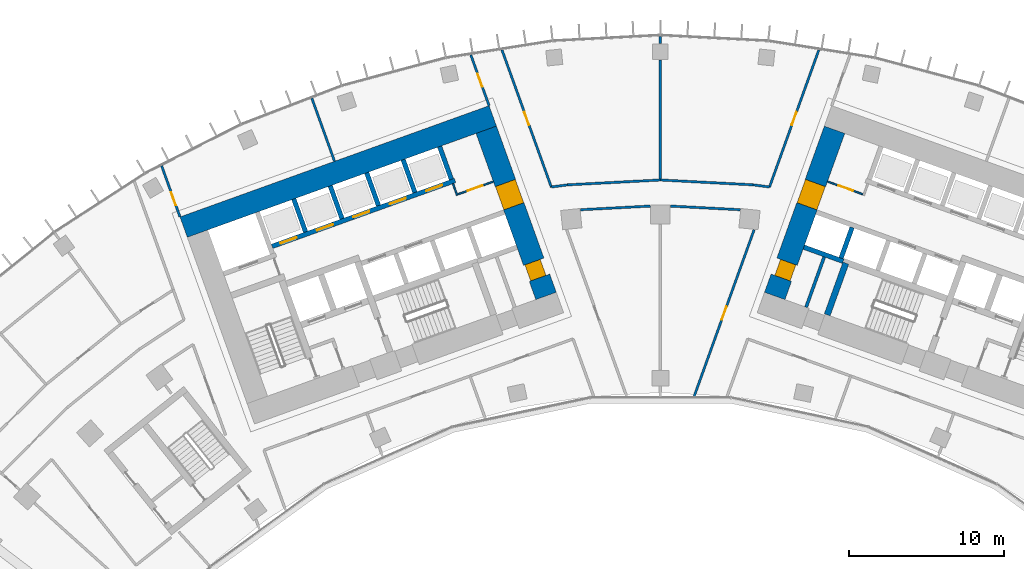
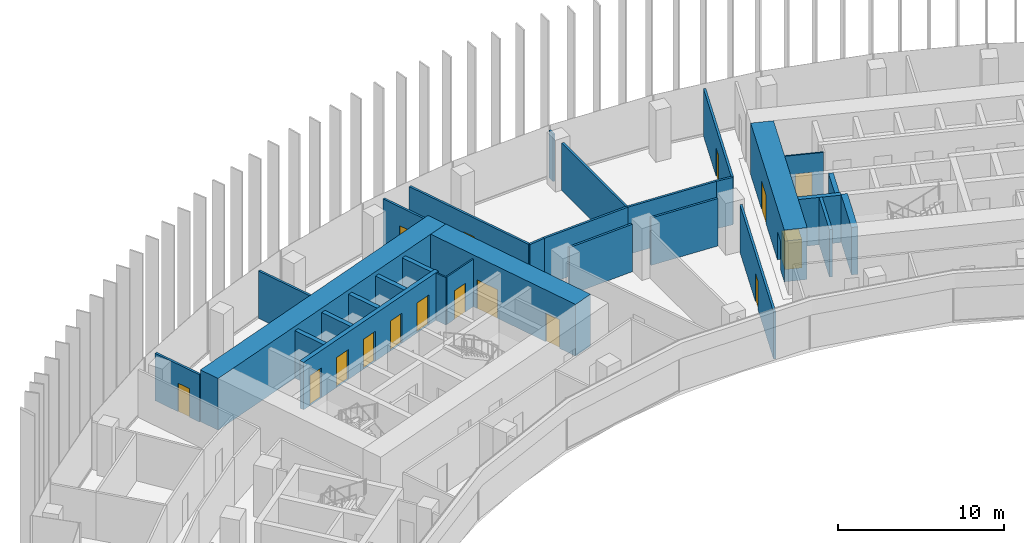
# One storey, part 17 of 23: 30 walls, 16 doors, 16 openings.
"""IFC4 building model written with IfcOpenShell, lengths in metres."""

from ifc_helpers import new_model, si_unit, direction, frame, frame_2d, origin, place, context, subcontext, project, spatial, rectangle, extrude, material, layer, layer_set, type_object, element, fill, save


model = new_model("IFC4")

# Units and contexts
model_context = context("Model", 3, precision=1e-05, world=origin(), true_north=direction((0.0, 1.0)))
body_context = subcontext(model_context, "Body", "Model", "MODEL_VIEW")
ifc_project = project(units=[si_unit("LENGTHUNIT", "METRE"), si_unit("AREAUNIT", "SQUARE_METRE"), si_unit("VOLUMEUNIT", "CUBIC_METRE"), si_unit("PLANEANGLEUNIT", "RADIAN"), si_unit("MASSUNIT", "GRAM", prefix="KILO")], contexts=[model_context])

# Site, building, storey
site_placement = place(None, origin())
site = spatial("IfcSite", under=ifc_project, at=site_placement, CompositionType="ELEMENT")
building_placement = place(site_placement, origin())
building = spatial("IfcBuilding", under=site, at=building_placement, Name="Stone Belt Terrace Tower", CompositionType="ELEMENT")
storey_placement = place(building_placement, frame((0.0, 0.0, 144.0)))
storey = spatial("IfcBuildingStorey", under=building, at=storey_placement, Name="L34", CompositionType="ELEMENT", Elevation=144.0)

# Wall
ifc_material_1 = material(Name="Plasterboard partition")
ifc_layer_1 = layer(ifc_material_1, 0.10009765625)
ifc_layer_set_1 = layer_set([ifc_layer_1], Name="Core partition 100")
wall_type_1 = type_object("IfcWallType", Name="Core partition 100", PredefinedType="PARTITIONING", material=ifc_layer_set_1)
wall_1_placement = place(storey_placement, frame((-13.115966796875, 56.230712890625, 0.0), z_axis=(0.0, 0.0, 1.0), x_axis=(-0.338481684961, 0.940972979923, 0.0)))
element("IfcWall", 1, at=wall_1_placement, inside=storey, type_object=wall_type_1, Name="Core A wall", PredefinedType="PARTITIONING", context=body_context, shape_type="SweptSolid", body=[
    extrude(rectangle(XDim=0.7998046875, YDim=0.10009765625, at=frame_2d((0.39990234375, 0.0))), origin(), (0.0, 0.0, 1.0), 3.47998046875),
])

# Wall, opening, door
wall_2_placement = place(storey_placement, frame((-13.085693359375, 56.294677734375, 0.0), z_axis=(0.0, 0.0, 1.0), x_axis=(0.940922976849, 0.338620660383, 0.0)))
wall_2 = element("IfcWall", 2, at=wall_2_placement, inside=storey, type_object=wall_type_1, Name="Core A wall", PredefinedType="PARTITIONING", context=body_context, shape_type="SweptSolid", body=[
    extrude(rectangle(XDim=2.449951171875, YDim=0.10009765625, at=frame_2d((1.22509765625, 0.0))), origin(), (0.0, 0.0, 1.0), 3.47998046875),
])
opening_1_placement = place(wall_2_placement, frame((0.699951171875, 0.0, 0.0)))
opening_1 = element("IfcOpeningElement", 3, at=opening_1_placement, cuts=wall_2, Name="Opening L34-C01", PredefinedType="OPENING", context=body_context, shape_type="SweptSolid", body=[
    extrude(rectangle(XDim=1.0, YDim=2.10009765625, at=frame_2d((0.5, 1.050048828125))), frame((0.0, 0.06005859375, 0.0), z_axis=(0.0, -1.0, 0.0), x_axis=(1.0, 0.0, 0.0)), (0.0, 0.0, 1.0), 0.1201171875),
])
ifc_material_2 = material(Name="Timber door leaf", Category="wood")
door_type_1 = type_object("IfcDoorType", Name="Core room door 1000", OperationType="SINGLE_SWING_LEFT", PredefinedType="DOOR", material=ifc_material_2)
door_1_placement = place(opening_1_placement, origin())
door_1 = element("IfcDoor", 4, at=door_1_placement, inside=storey, type_object=door_type_1, Name="Door to Ventilation plant room core A", OperationType="SINGLE_SWING_RIGHT", OverallHeight=2.10009765625, OverallWidth=1.0, PredefinedType="DOOR", context=body_context, shape_type="SweptSolid", body=[
    extrude(rectangle(XDim=1.0, YDim=2.10009765625, at=frame_2d((0.5, 1.050048828125))), frame((0.0, 0.02490234375, 0.0), z_axis=(0.0, -1.0, 0.0), x_axis=(1.0, 0.0, 0.0)), (0.0, 0.0, 1.0), 0.050048828125),
])
fill(opening_1, door_1)

wall_3_placement = place(storey_placement, frame((13.085693359375, 56.294677734375, 0.0), z_axis=(0.0, 0.0, 1.0), x_axis=(-0.940922976849, 0.338620660383, 0.0)))
wall_3 = element("IfcWall", 5, at=wall_3_placement, inside=storey, type_object=wall_type_1, Name="Core B wall", PredefinedType="PARTITIONING", context=body_context, shape_type="SweptSolid", body=[
    extrude(rectangle(XDim=2.449951171875, YDim=0.10009765625, at=frame_2d((1.22509765625, 0.0))), origin(), (0.0, 0.0, 1.0), 3.47998046875),
])
opening_2_placement = place(wall_3_placement, frame((0.699951171875, 0.0, 0.0)))
opening_2 = element("IfcOpeningElement", 6, at=opening_2_placement, cuts=wall_3, Name="Opening L34-C11", PredefinedType="OPENING", context=body_context, shape_type="SweptSolid", body=[
    extrude(rectangle(XDim=1.0, YDim=2.10009765625, at=frame_2d((0.5, 1.050048828125))), frame((0.0, 0.06005859375, 0.0), z_axis=(0.0, -1.0, 0.0), x_axis=(1.0, 0.0, 0.0)), (0.0, 0.0, 1.0), 0.1201171875),
])
door_2_placement = place(opening_2_placement, origin())
door_2 = element("IfcDoor", 7, at=door_2_placement, inside=storey, type_object=door_type_1, Name="Door to Ventilation plant room core B", OperationType="SINGLE_SWING_LEFT", OverallHeight=2.10009765625, OverallWidth=1.0, PredefinedType="DOOR", context=body_context, shape_type="SweptSolid", body=[
    extrude(rectangle(XDim=1.0, YDim=2.10009765625, at=frame_2d((0.5, 1.050048828125))), frame((0.0, 0.02490234375, 0.0), z_axis=(0.0, -1.0, 0.0), x_axis=(1.0, 0.0, 0.0)), (0.0, 0.0, 1.0), 0.050048828125),
])
fill(opening_2, door_2)

# Wall
ifc_material_3 = material(Name="Concrete B80", Category="concrete")
ifc_layer_2 = layer(ifc_material_3, 1.39990234375)
ifc_layer_set_2 = layer_set([ifc_layer_2], Name="Core wall 1400 B80")
wall_type_2 = type_object("IfcWallType", Name="Core wall 1400 B80", PredefinedType="SHEAR", material=ifc_layer_set_2)
wall_4_placement = place(storey_placement, frame((-30.765380859375, 54.18310546875, 0.0), z_axis=(0.0, 0.0, 1.0), x_axis=(0.940919704758, 0.338629752382, 0.0)))
element("IfcWall", 8, at=wall_4_placement, inside=storey, type_object=wall_type_2, Name="Core A wall convex L34", PredefinedType="SHEAR", context=body_context, shape_type="SweptSolid", body=[
    extrude(rectangle(XDim=21.199951171875, YDim=1.39990234375, at=frame_2d((10.60009765625, 0.0))), origin(), (0.0, 0.0, 1.0), 3.800048828125),
])

# Wall, openings, doors
wall_5_placement = place(storey_placement, frame((-7.379150390625, 49.73974609375, 0.0), z_axis=(0.0, 0.0, 1.0), x_axis=(-0.338625431531, 0.940921259788, 0.0)))
wall_5 = element("IfcWall", 9, at=wall_5_placement, inside=storey, type_object=wall_type_2, Name="Core A wall end_b L34", PredefinedType="SHEAR", context=body_context, shape_type="SweptSolid", body=[
    extrude(rectangle(XDim=11.400146484375, YDim=1.39990234375, at=frame_2d((5.7001953125, 0.0))), origin(), (0.0, 0.0, 1.0), 3.800048828125),
])
opening_3_placement = place(wall_5_placement, frame((6.14990234375, 0.0, 0.0)))
opening_3 = element("IfcOpeningElement", 10, at=opening_3_placement, cuts=wall_5, Name="Opening L34-C03", PredefinedType="OPENING", context=body_context, shape_type="SweptSolid", body=[
    extrude(rectangle(XDim=1.60009765625, YDim=2.10009765625, at=frame_2d((0.800048828125, 1.050048828125))), frame((0.0, 0.7099609375, 0.0), z_axis=(0.0, -1.0, 0.0), x_axis=(1.0, 0.0, 0.0)), (0.0, 0.0, 1.0), 1.419921875),
])
opening_4_placement = place(wall_5_placement, frame((1.25, 0.0, 0.0)))
opening_4 = element("IfcOpeningElement", 11, at=opening_4_placement, cuts=wall_5, Name="Opening L34-C09", PredefinedType="OPENING", context=body_context, shape_type="SweptSolid", body=[
    extrude(rectangle(XDim=1.10009765625, YDim=2.10009765625, at=frame_2d((0.550048828125, 1.050048828125))), frame((0.0, 0.7099609375, 0.0), z_axis=(0.0, -1.0, 0.0), x_axis=(1.0, 0.0, 0.0)), (0.0, 0.0, 1.0), 1.419921875),
])
door_type_2 = type_object("IfcDoorType", Name="Core room door 1100", OperationType="SINGLE_SWING_LEFT", PredefinedType="DOOR", material=ifc_material_2)
door_3_placement = place(opening_4_placement, origin())
door_3 = element("IfcDoor", 12, at=door_3_placement, inside=storey, type_object=door_type_2, Name="Door to Cleaner's store core A", OperationType="SINGLE_SWING_LEFT", OverallHeight=2.10009765625, OverallWidth=1.10009765625, PredefinedType="DOOR", context=body_context, shape_type="SweptSolid", body=[
    extrude(rectangle(XDim=1.10009765625, YDim=2.10009765625, at=frame_2d((0.550048828125, 1.050048828125))), frame((0.0, 0.60498046875, 0.0), z_axis=(0.0, -1.0, 0.0), x_axis=(1.0, 0.0, 0.0)), (0.0, 0.0, 1.0), 1.050048828125),
])
fill(opening_4, door_3)
ifc_material_4 = material(Name="Glazed aluminium door leaf", Category="aluminium")
door_type_3 = type_object("IfcDoorType", Name="Lift lobby entrance door 1600", OperationType="DOUBLE_DOOR_SINGLE_SWING", PredefinedType="DOOR", material=ifc_material_4)
door_4_placement = place(opening_3_placement, origin())
door_4 = element("IfcDoor", 13, at=door_4_placement, inside=storey, type_object=door_type_3, Name="Lift lobby entrance door core A", OperationType="DOUBLE_DOOR_SINGLE_SWING", OverallHeight=2.10009765625, OverallWidth=1.60009765625, PredefinedType="DOOR", context=body_context, shape_type="SweptSolid", body=[
    extrude(rectangle(XDim=1.60009765625, YDim=2.10009765625, at=frame_2d((0.800048828125, 1.050048828125))), frame((0.0, 0.68017578125, 0.0), z_axis=(0.0, -1.0, 0.0), x_axis=(1.0, 0.0, 0.0)), (0.0, 0.0, 1.0), 1.360107421875),
])
fill(opening_3, door_4)

wall_6_placement = place(storey_placement, frame((7.379150390625, 49.73974609375, 0.0), z_axis=(0.0, 0.0, 1.0), x_axis=(0.338625431531, 0.940921259788, 0.0)))
wall_6 = element("IfcWall", 14, at=wall_6_placement, inside=storey, type_object=wall_type_2, Name="Core B wall end_a L34", PredefinedType="SHEAR", context=body_context, shape_type="SweptSolid", body=[
    extrude(rectangle(XDim=11.400146484375, YDim=1.39990234375, at=frame_2d((5.7001953125, 0.0))), origin(), (0.0, 0.0, 1.0), 3.800048828125),
])
opening_5_placement = place(wall_6_placement, frame((6.14990234375, 0.0, 0.0)))
opening_5 = element("IfcOpeningElement", 15, at=opening_5_placement, cuts=wall_6, Name="Opening L34-C13", PredefinedType="OPENING", context=body_context, shape_type="SweptSolid", body=[
    extrude(rectangle(XDim=1.60009765625, YDim=2.10009765625, at=frame_2d((0.800048828125, 1.050048828125))), frame((0.0, 0.7099609375, 0.0), z_axis=(0.0, -1.0, 0.0), x_axis=(1.0, 0.0, 0.0)), (0.0, 0.0, 1.0), 1.419921875),
])
opening_6_placement = place(wall_6_placement, frame((1.25, 0.0, 0.0)))
opening_6 = element("IfcOpeningElement", 16, at=opening_6_placement, cuts=wall_6, Name="Opening L34-C19", PredefinedType="OPENING", context=body_context, shape_type="SweptSolid", body=[
    extrude(rectangle(XDim=1.10009765625, YDim=2.10009765625, at=frame_2d((0.550048828125, 1.050048828125))), frame((0.0, 0.7099609375, 0.0), z_axis=(0.0, -1.0, 0.0), x_axis=(1.0, 0.0, 0.0)), (0.0, 0.0, 1.0), 1.419921875),
])
door_5_placement = place(opening_6_placement, origin())
door_5 = element("IfcDoor", 17, at=door_5_placement, inside=storey, type_object=door_type_2, Name="Door to Cleaner's store core B", OperationType="SINGLE_SWING_RIGHT", OverallHeight=2.10009765625, OverallWidth=1.10009765625, PredefinedType="DOOR", context=body_context, shape_type="SweptSolid", body=[
    extrude(rectangle(XDim=1.10009765625, YDim=2.10009765625, at=frame_2d((0.550048828125, 1.050048828125))), frame((0.0, 0.44482421875, 0.0), z_axis=(0.0, -1.0, 0.0), x_axis=(1.0, 0.0, 0.0)), (0.0, 0.0, 1.0), 1.050048828125),
])
fill(opening_6, door_5)
door_6_placement = place(opening_5_placement, origin())
door_6 = element("IfcDoor", 18, at=door_6_placement, inside=storey, type_object=door_type_3, Name="Lift lobby entrance door core B", OperationType="DOUBLE_DOOR_SINGLE_SWING", OverallHeight=2.10009765625, OverallWidth=1.60009765625, PredefinedType="DOOR", context=body_context, shape_type="SweptSolid", body=[
    extrude(rectangle(XDim=1.60009765625, YDim=2.10009765625, at=frame_2d((0.800048828125, 1.050048828125))), frame((0.0, 0.68017578125, 0.0), z_axis=(0.0, -1.0, 0.0), x_axis=(1.0, 0.0, 0.0)), (0.0, 0.0, 1.0), 1.360107421875),
])
fill(opening_5, door_6)

ifc_layer_3 = layer(ifc_material_3, 0.300048828125)
ifc_layer_set_3 = layer_set([ifc_layer_3], Name="Lift shaft wall 300")
wall_type_3 = type_object("IfcWallType", Name="Lift shaft wall 300", PredefinedType="SHEAR", material=ifc_layer_set_3)
wall_7_placement = place(storey_placement, frame((-25.05810546875, 52.9423828125, 0.0), z_axis=(0.0, 0.0, 1.0), x_axis=(0.940921381676, 0.338625092847, 0.0)))
wall_7 = element("IfcWall", 19, at=wall_7_placement, inside=storey, type_object=wall_type_3, Name="Core A wall", PredefinedType="SHEAR", context=body_context, shape_type="SweptSolid", body=[
    extrude(rectangle(XDim=12.550048828125, YDim=0.300048828125, at=frame_2d((6.27490234375, 0.0))), origin(), (0.0, 0.0, 1.0), 3.47998046875),
])
opening_7_placement = place(wall_7_placement, frame((0.570068359375, 0.0, 0.0)))
opening_7 = element("IfcOpeningElement", 20, at=opening_7_placement, cuts=wall_7, Name="Opening L34-LD01", PredefinedType="OPENING", context=body_context, shape_type="SweptSolid", body=[
    extrude(rectangle(XDim=1.10009765625, YDim=2.199951171875, at=frame_2d((0.550048828125, 1.10009765625))), frame((0.0, 0.159912109375, 0.0), z_axis=(0.0, -1.0, 0.0), x_axis=(1.0, 0.0, 0.0)), (0.0, 0.0, 1.0), 0.320068359375),
])
opening_8_placement = place(wall_7_placement, frame((3.070068359375, 0.0, 0.0)))
opening_8 = element("IfcOpeningElement", 21, at=opening_8_placement, cuts=wall_7, Name="Opening L34-LD02", PredefinedType="OPENING", context=body_context, shape_type="SweptSolid", body=[
    extrude(rectangle(XDim=1.10009765625, YDim=2.199951171875, at=frame_2d((0.550048828125, 1.10009765625))), frame((0.0, 0.159912109375, 0.0), z_axis=(0.0, -1.0, 0.0), x_axis=(1.0, 0.0, 0.0)), (0.0, 0.0, 1.0), 0.320068359375),
])
opening_9_placement = place(wall_7_placement, frame((5.570068359375, 0.0, 0.0)))
opening_9 = element("IfcOpeningElement", 22, at=opening_9_placement, cuts=wall_7, Name="Opening L34-LD03", PredefinedType="OPENING", context=body_context, shape_type="SweptSolid", body=[
    extrude(rectangle(XDim=1.10009765625, YDim=2.199951171875, at=frame_2d((0.550048828125, 1.10009765625))), frame((0.0, 0.159912109375, 0.0), z_axis=(0.0, -1.0, 0.0), x_axis=(1.0, 0.0, 0.0)), (0.0, 0.0, 1.0), 0.320068359375),
])
opening_10_placement = place(wall_7_placement, frame((8.070068359375, 0.0, 0.0)))
opening_10 = element("IfcOpeningElement", 23, at=opening_10_placement, cuts=wall_7, Name="Opening L34-LD04", PredefinedType="OPENING", context=body_context, shape_type="SweptSolid", body=[
    extrude(rectangle(XDim=1.10009765625, YDim=2.199951171875, at=frame_2d((0.550048828125, 1.10009765625))), frame((0.0, 0.159912109375, 0.0), z_axis=(0.0, -1.0, 0.0), x_axis=(1.0, 0.0, 0.0)), (0.0, 0.0, 1.0), 0.320068359375),
])
opening_11_placement = place(wall_7_placement, frame((10.570068359375, 0.0, 0.0)))
opening_11 = element("IfcOpeningElement", 24, at=opening_11_placement, cuts=wall_7, Name="Opening L34-LD05", PredefinedType="OPENING", context=body_context, shape_type="SweptSolid", body=[
    extrude(rectangle(XDim=1.10009765625, YDim=2.199951171875, at=frame_2d((0.550048828125, 1.10009765625))), frame((0.0, 0.159912109375, 0.0), z_axis=(0.0, -1.0, 0.0), x_axis=(1.0, 0.0, 0.0)), (0.0, 0.0, 1.0), 0.320068359375),
])
ifc_material_5 = material(Name="Stainless steel door leaf", Category="steel")
door_type_4 = type_object("IfcDoorType", Name="Landing door 1100", OperationType="SLIDING_TO_LEFT", PredefinedType="DOOR", material=ifc_material_5)
door_7_placement = place(opening_7_placement, origin())
door_7 = element("IfcDoor", 25, at=door_7_placement, inside=storey, type_object=door_type_4, Name="Landing door MR1 core A", OperationType="SLIDING_TO_LEFT", OverallHeight=2.199951171875, OverallWidth=1.10009765625, PredefinedType="DOOR", context=body_context, shape_type="SweptSolid", body=[
    extrude(rectangle(XDim=1.10009765625, YDim=2.199951171875, at=frame_2d((0.550048828125, 1.10009765625))), frame((0.0, 0.02490234375, 0.0), z_axis=(0.0, -1.0, 0.0), x_axis=(1.0, 0.0, 0.0)), (0.0, 0.0, 1.0), 0.050048828125),
])
fill(opening_7, door_7)
door_8_placement = place(opening_8_placement, origin())
door_8 = element("IfcDoor", 26, at=door_8_placement, inside=storey, type_object=door_type_4, Name="Landing door MR2 core A", OperationType="SLIDING_TO_LEFT", OverallHeight=2.199951171875, OverallWidth=1.10009765625, PredefinedType="DOOR", context=body_context, shape_type="SweptSolid", body=[
    extrude(rectangle(XDim=1.10009765625, YDim=2.199951171875, at=frame_2d((0.550048828125, 1.10009765625))), frame((0.0, 0.02490234375, 0.0), z_axis=(0.0, -1.0, 0.0), x_axis=(1.0, 0.0, 0.0)), (0.0, 0.0, 1.0), 0.050048828125),
])
fill(opening_8, door_8)
door_9_placement = place(opening_9_placement, origin())
door_9 = element("IfcDoor", 27, at=door_9_placement, inside=storey, type_object=door_type_4, Name="Landing door MR3 core A", OperationType="SLIDING_TO_LEFT", OverallHeight=2.199951171875, OverallWidth=1.10009765625, PredefinedType="DOOR", context=body_context, shape_type="SweptSolid", body=[
    extrude(rectangle(XDim=1.10009765625, YDim=2.199951171875, at=frame_2d((0.550048828125, 1.10009765625))), frame((0.0, 0.02490234375, 0.0), z_axis=(0.0, -1.0, 0.0), x_axis=(1.0, 0.0, 0.0)), (0.0, 0.0, 1.0), 0.050048828125),
])
fill(opening_9, door_9)
door_10_placement = place(opening_10_placement, origin())
door_10 = element("IfcDoor", 28, at=door_10_placement, inside=storey, type_object=door_type_4, Name="Landing door MR4 core A", OperationType="SLIDING_TO_LEFT", OverallHeight=2.199951171875, OverallWidth=1.10009765625, PredefinedType="DOOR", context=body_context, shape_type="SweptSolid", body=[
    extrude(rectangle(XDim=1.10009765625, YDim=2.199951171875, at=frame_2d((0.550048828125, 1.10009765625))), frame((0.0, 0.02490234375, 0.0), z_axis=(0.0, -1.0, 0.0), x_axis=(1.0, 0.0, 0.0)), (0.0, 0.0, 1.0), 0.050048828125),
])
fill(opening_10, door_10)
door_11_placement = place(opening_11_placement, origin())
door_11 = element("IfcDoor", 29, at=door_11_placement, inside=storey, type_object=door_type_4, Name="Landing door MR5 core A", OperationType="SLIDING_TO_LEFT", OverallHeight=2.199951171875, OverallWidth=1.10009765625, PredefinedType="DOOR", context=body_context, shape_type="SweptSolid", body=[
    extrude(rectangle(XDim=1.10009765625, YDim=2.199951171875, at=frame_2d((0.550048828125, 1.10009765625))), frame((0.0, 0.02490234375, 0.0), z_axis=(0.0, -1.0, 0.0), x_axis=(1.0, 0.0, 0.0)), (0.0, 0.0, 1.0), 0.050048828125),
])
fill(opening_11, door_11)

# Walls
wall_8_placement = place(storey_placement, frame((-22.897705078125, 53.87939453125, 0.0), z_axis=(0.0, 0.0, 1.0), x_axis=(-0.338535034312, 0.940953787677, 0.0)))
element("IfcWall", 30, at=wall_8_placement, inside=storey, type_object=wall_type_3, Name="Core A wall", PredefinedType="SHEAR", context=body_context, shape_type="SweptSolid", body=[
    extrude(rectangle(XDim=2.25, YDim=0.300048828125, at=frame_2d((1.125, 0.0))), origin(), (0.0, 0.0, 1.0), 3.47998046875),
])
wall_9_placement = place(storey_placement, frame((-20.54541015625, 54.72607421875, 0.0), z_axis=(0.0, 0.0, 1.0), x_axis=(-0.338569601369, 0.940941350472, 0.0)))
element("IfcWall", 31, at=wall_9_placement, inside=storey, type_object=wall_type_3, Name="Core A wall", PredefinedType="SHEAR", context=body_context, shape_type="SweptSolid", body=[
    extrude(rectangle(XDim=2.249755859375, YDim=0.300048828125, at=frame_2d((1.125, 0.0))), origin(), (0.0, 0.0, 1.0), 3.47998046875),
])
wall_10_placement = place(storey_placement, frame((-18.193115234375, 55.572509765625, 0.0), z_axis=(0.0, 0.0, 1.0), x_axis=(-0.338535034312, 0.940953787677, 0.0)))
element("IfcWall", 32, at=wall_10_placement, inside=storey, type_object=wall_type_3, Name="Core A wall", PredefinedType="SHEAR", context=body_context, shape_type="SweptSolid", body=[
    extrude(rectangle(XDim=2.25, YDim=0.300048828125, at=frame_2d((1.125, 0.0))), origin(), (0.0, 0.0, 1.0), 3.47998046875),
])
wall_11_placement = place(storey_placement, frame((-15.8408203125, 56.419189453125, 0.0), z_axis=(0.0, 0.0, 1.0), x_axis=(-0.338569601369, 0.940941350472, 0.0)))
element("IfcWall", 33, at=wall_11_placement, inside=storey, type_object=wall_type_3, Name="Core A wall", PredefinedType="SHEAR", context=body_context, shape_type="SweptSolid", body=[
    extrude(rectangle(XDim=2.249755859375, YDim=0.300048828125, at=frame_2d((1.125, 0.0))), origin(), (0.0, 0.0, 1.0), 3.47998046875),
])
wall_12_placement = place(storey_placement, frame((-13.48828125, 57.265625, 0.0), z_axis=(0.0, 0.0, 1.0), x_axis=(-0.338631098537, 0.940919220286, 0.0)))
element("IfcWall", 34, at=wall_12_placement, inside=storey, type_object=wall_type_3, Name="Core A wall", PredefinedType="SHEAR", context=body_context, shape_type="SweptSolid", body=[
    extrude(rectangle(XDim=2.250244140625, YDim=0.300048828125, at=frame_2d((1.125, 0.0))), origin(), (0.0, 0.0, 1.0), 3.47998046875),
])
wall_13_placement = place(storey_placement, frame((11.797119140625, 51.975830078125, 0.0), z_axis=(0.0, 0.0, 1.0), x_axis=(-0.940910465161, 0.33865542451, 0.0)))
element("IfcWall", 35, at=wall_13_placement, inside=storey, type_object=wall_type_3, Name="Core B wall", PredefinedType="SHEAR", context=body_context, shape_type="SweptSolid", body=[
    extrude(rectangle(XDim=2.69970703125, YDim=0.300048828125, at=frame_2d((1.349853515625, 0.0))), origin(), (0.0, 0.0, 1.0), 3.47998046875),
])
wall_14_placement = place(storey_placement, frame((11.659912109375, 52.184814453125, 0.0), z_axis=(0.0, 0.0, 1.0), x_axis=(0.338670064856, 0.940905195634, 0.0)))
element("IfcWall", 36, at=wall_14_placement, inside=storey, type_object=wall_type_3, Name="Core B wall", PredefinedType="SHEAR", context=body_context, shape_type="SweptSolid", body=[
    extrude(rectangle(XDim=2.099853515625, YDim=0.300048828125, at=frame_2d((1.0498046875, 0.0))), origin(), (0.0, 0.0, 1.0), 3.47998046875),
])

# Wall, opening, door
ifc_material_6 = material(Name="Gypsum board partition")
ifc_layer_4 = layer(ifc_material_6, 0.14990234375)
ifc_layer_set_4 = layer_set([ifc_layer_4], Name="PARTITION 150 EI 60")
wall_type_4 = type_object("IfcWallType", Name="PARTITION 150 EI 60", PredefinedType="PARTITIONING", material=ifc_layer_set_4)
wall_15_placement = place(storey_placement, frame((-32.185791015625, 58.131103515625, 0.0), z_axis=(0.0, 0.0, 1.0), x_axis=(0.338662585219, -0.940907887826, 0.0)))
wall_15 = element("IfcWall", 37, at=wall_15_placement, inside=storey, type_object=wall_type_4, Name="L34/wall/i002", PredefinedType="PARTITIONING", context=body_context, shape_type="SweptSolid", body=[
    extrude(rectangle(XDim=3.49560546875, YDim=0.14990234375, at=frame_2d((1.747802734375, 0.0))), origin(), (0.0, 0.0, 1.0), 3.47998046875),
])
opening_12_placement = place(wall_15_placement, frame((1.796630859375, 0.0, 0.0)))
opening_12 = element("IfcOpeningElement", 38, at=opening_12_placement, cuts=wall_15, Name="Opening D-SK1-04", PredefinedType="OPENING", context=body_context, shape_type="SweptSolid", body=[
    extrude(rectangle(XDim=0.89990234375, YDim=2.10009765625, at=frame_2d((0.449951171875, 1.050048828125))), frame((0.0, 0.0849609375, 0.0), z_axis=(0.0, -1.0, 0.0), x_axis=(1.0, 0.0, 0.0)), (0.0, 0.0, 1.0), 0.169921875),
])
door_type_5 = type_object("IfcDoorType", Name="OFFICE DOOR 900 X 2100", OperationType="NOTDEFINED", PredefinedType="DOOR", material=ifc_material_2)
door_12_placement = place(opening_12_placement, origin())
door_12 = element("IfcDoor", 39, at=door_12_placement, inside=storey, type_object=door_type_5, Name="L34/door/i04", OperationType="SINGLE_SWING_RIGHT", OverallHeight=2.10009765625, OverallWidth=0.89990234375, PredefinedType="DOOR", context=body_context, shape_type="SweptSolid", body=[
    extrude(rectangle(XDim=0.89990234375, YDim=2.10009765625, at=frame_2d((0.449951171875, 1.050048828125))), frame((0.0, 0.02490234375, 0.0), z_axis=(0.0, -1.0, 0.0), x_axis=(1.0, 0.0, 0.0)), (0.0, 0.0, 1.0), 0.050048828125),
])
fill(opening_12, door_12)

wall_16_placement = place(storey_placement, frame((-11.054931640625, 62.02099609375, 0.0), z_axis=(0.0, 0.0, 1.0), x_axis=(-0.338853532575, 0.94083913793, 0.0)))
wall_16 = element("IfcWall", 40, at=wall_16_placement, inside=storey, type_object=wall_type_4, Name="L34/wall/i009", PredefinedType="PARTITIONING", context=body_context, shape_type="SweptSolid", body=[
    extrude(rectangle(XDim=3.482177734375, YDim=0.14990234375, at=frame_2d((1.7412109375, 0.0))), origin(), (0.0, 0.0, 1.0), 3.47998046875),
])
opening_13_placement = place(wall_16_placement, frame((1.291015625, 0.0, 0.0)))
opening_13 = element("IfcOpeningElement", 41, at=opening_13_placement, cuts=wall_16, Name="Opening D-SK1-05", PredefinedType="OPENING", context=body_context, shape_type="SweptSolid", body=[
    extrude(rectangle(XDim=0.89990234375, YDim=2.10009765625, at=frame_2d((0.449951171875, 1.050048828125))), frame((0.0, 0.0849609375, 0.0), z_axis=(0.0, -1.0, 0.0), x_axis=(1.0, 0.0, 0.0)), (0.0, 0.0, 1.0), 0.169921875),
])
door_13_placement = place(opening_13_placement, origin())
door_13 = element("IfcDoor", 42, at=door_13_placement, inside=storey, type_object=door_type_5, Name="L34/door/i05", OperationType="SINGLE_SWING_RIGHT", OverallHeight=2.10009765625, OverallWidth=0.89990234375, PredefinedType="DOOR", context=body_context, shape_type="SweptSolid", body=[
    extrude(rectangle(XDim=0.89990234375, YDim=2.10009765625, at=frame_2d((0.449951171875, 1.050048828125))), frame((0.0, 0.02490234375, 0.0), z_axis=(0.0, -1.0, 0.0), x_axis=(1.0, 0.0, 0.0)), (0.0, 0.0, 1.0), 0.050048828125),
])
fill(opening_13, door_13)

wall_17_placement = place(storey_placement, frame((-10.223876953125, 65.6162109375, 0.0), z_axis=(0.0, 0.0, 1.0), x_axis=(0.338637655092, -0.940916860596, 0.0)))
wall_17 = element("IfcWall", 43, at=wall_17_placement, inside=storey, type_object=wall_type_4, Name="L34/wall/i011", PredefinedType="PARTITIONING", context=body_context, shape_type="SweptSolid", body=[
    extrude(rectangle(XDim=9.40478515625, YDim=0.14990234375, at=frame_2d((4.702392578125, 0.0))), origin(), (0.0, 0.0, 1.0), 3.47998046875),
])
opening_14_placement = place(wall_17_placement, frame((4.25244140625, 0.0, 0.0)))
opening_14 = element("IfcOpeningElement", 44, at=opening_14_placement, cuts=wall_17, Name="Opening D-SK1-27", PredefinedType="OPENING", context=body_context, shape_type="SweptSolid", body=[
    extrude(rectangle(XDim=0.89990234375, YDim=2.10009765625, at=frame_2d((0.449951171875, 1.050048828125))), frame((0.0, 0.0849609375, 0.0), z_axis=(0.0, -1.0, 0.0), x_axis=(1.0, 0.0, 0.0)), (0.0, 0.0, 1.0), 0.169921875),
])
door_14_placement = place(opening_14_placement, origin())
door_14 = element("IfcDoor", 45, at=door_14_placement, inside=storey, type_object=door_type_5, Name="L34/door/i27", OperationType="SINGLE_SWING_RIGHT", OverallHeight=2.10009765625, OverallWidth=0.89990234375, PredefinedType="DOOR", context=body_context, shape_type="SweptSolid", body=[
    extrude(rectangle(XDim=0.89990234375, YDim=2.10009765625, at=frame_2d((0.449951171875, 1.050048828125))), frame((0.0, 0.02490234375, 0.0), z_axis=(0.0, -1.0, 0.0), x_axis=(1.0, 0.0, 0.0)), (0.0, 0.0, 1.0), 0.050048828125),
])
fill(opening_14, door_14)

# Wall
wall_18_placement = place(storey_placement, frame((-22.492919921875, 62.4990234375, 0.0), z_axis=(0.0, 0.0, 1.0), x_axis=(0.338585491978, -0.94093563256, 0.0)))
element("IfcWall", 46, at=wall_18_placement, inside=storey, type_object=wall_type_4, Name="L34/wall/i018", PredefinedType="PARTITIONING", context=body_context, shape_type="SweptSolid", body=[
    extrude(rectangle(XDim=4.323486328125, YDim=0.14990234375, at=frame_2d((2.16162109375, 0.0))), origin(), (0.0, 0.0, 1.0), 3.47998046875),
])

# Wall, opening, door
wall_19_placement = place(storey_placement, frame((2.1787109375, 43.26171875, 0.0), z_axis=(0.0, 0.0, 1.0), x_axis=(0.338658916341, 0.940909208363, 0.0)))
wall_19 = element("IfcWall", 47, at=wall_19_placement, inside=storey, type_object=wall_type_4, Name="L34/wall/i021", PredefinedType="PARTITIONING", context=body_context, shape_type="SweptSolid", body=[
    extrude(rectangle(XDim=11.422119140625, YDim=0.14990234375, at=frame_2d((5.7109375, 0.0))), origin(), (0.0, 0.0, 1.0), 3.47998046875),
])
opening_15_placement = place(wall_19_placement, frame((5.260986328125, 0.0, 0.0)))
opening_15 = element("IfcOpeningElement", 48, at=opening_15_placement, cuts=wall_19, Name="Opening D-SK1-26", PredefinedType="OPENING", context=body_context, shape_type="SweptSolid", body=[
    extrude(rectangle(XDim=0.89990234375, YDim=2.10009765625, at=frame_2d((0.449951171875, 1.050048828125))), frame((0.0, 0.0849609375, 0.0), z_axis=(0.0, -1.0, 0.0), x_axis=(1.0, 0.0, 0.0)), (0.0, 0.0, 1.0), 0.169921875),
])
door_15_placement = place(opening_15_placement, origin())
door_15 = element("IfcDoor", 49, at=door_15_placement, inside=storey, type_object=door_type_5, Name="L34/door/i26", OperationType="SINGLE_SWING_RIGHT", OverallHeight=2.10009765625, OverallWidth=0.89990234375, PredefinedType="DOOR", context=body_context, shape_type="SweptSolid", body=[
    extrude(rectangle(XDim=0.89990234375, YDim=2.10009765625, at=frame_2d((0.449951171875, 1.050048828125))), frame((0.0, 0.02490234375, 0.0), z_axis=(0.0, -1.0, 0.0), x_axis=(1.0, 0.0, 0.0)), (0.0, 0.0, 1.0), 0.050048828125),
])
fill(opening_15, door_15)

wall_20_placement = place(storey_placement, frame((7.0390625, 56.76708984375, 0.0), z_axis=(0.0, 0.0, 1.0), x_axis=(0.338637655092, 0.940916860596, 0.0)))
wall_20 = element("IfcWall", 50, at=wall_20_placement, inside=storey, type_object=wall_type_4, Name="L34/wall/i022", PredefinedType="PARTITIONING", context=body_context, shape_type="SweptSolid", body=[
    extrude(rectangle(XDim=9.40478515625, YDim=0.14990234375, at=frame_2d((4.702392578125, 0.0))), origin(), (0.0, 0.0, 1.0), 3.47998046875),
])
opening_16_placement = place(wall_20_placement, frame((4.25244140625, 0.0, 0.0)))
opening_16 = element("IfcOpeningElement", 51, at=opening_16_placement, cuts=wall_20, Name="Opening D-SK1-28", PredefinedType="OPENING", context=body_context, shape_type="SweptSolid", body=[
    extrude(rectangle(XDim=0.89990234375, YDim=2.10009765625, at=frame_2d((0.449951171875, 1.050048828125))), frame((0.0, 0.0849609375, 0.0), z_axis=(0.0, -1.0, 0.0), x_axis=(1.0, 0.0, 0.0)), (0.0, 0.0, 1.0), 0.169921875),
])
door_16_placement = place(opening_16_placement, origin())
door_16 = element("IfcDoor", 52, at=door_16_placement, inside=storey, type_object=door_type_5, Name="L34/door/i28", OperationType="SINGLE_SWING_RIGHT", OverallHeight=2.10009765625, OverallWidth=0.89990234375, PredefinedType="DOOR", context=body_context, shape_type="SweptSolid", body=[
    extrude(rectangle(XDim=0.89990234375, YDim=2.10009765625, at=frame_2d((0.449951171875, 1.050048828125))), frame((0.0, 0.02490234375, 0.0), z_axis=(0.0, -1.0, 0.0), x_axis=(1.0, 0.0, 0.0)), (0.0, 0.0, 1.0), 0.050048828125),
])
fill(opening_16, door_16)

# Walls
for number, where, z_axis, x_axis, name in (
    (53, (-0.655029296875, 55.540771484375, 0.0), (0.0, 0.0, 1.0), (-0.99863186448, -0.052291483489, 0.0), "L34/wall/i072"),
    (54, (5.154296875, 55.30517578125, 0.0), (0.0, 0.0, 1.0), (-0.99863186448, 0.052291483489, 0.0), "L34/wall/i073"),
):
    element("IfcWall", number, at=place(storey_placement, frame(where, z_axis=z_axis, x_axis=x_axis)), inside=storey, type_object=wall_type_4, Name=name, PredefinedType="PARTITIONING", context=body_context, shape_type="SweptSolid", body=[
        extrude(rectangle(XDim=4.50537109375, YDim=0.14990234375, at=frame_2d((2.252685546875, 0.0))), origin(), (0.0, 0.0, 1.0), 3.47998046875),
    ])
wall_21_placement = place(storey_placement, frame((-7.041015625, 56.77294921875, 0.0), z_axis=(0.0, 0.0, 1.0), x_axis=(0.991477617634, 0.130277142013, 0.0)))
element("IfcWall", 55, at=wall_21_placement, inside=storey, type_object=wall_type_4, Name="L34/wall/i074", PredefinedType="PARTITIONING", context=body_context, shape_type="SweptSolid", body=[
    extrude(rectangle(XDim=1.068115234375, YDim=0.14990234375, at=frame_2d((0.5341796875, 0.0))), origin(), (0.0, 0.0, 1.0), 3.47998046875),
])
for number, where, z_axis, x_axis, name in (
    (56, (-5.98193359375, 56.912109375, 0.0), (0.0, 0.0, 1.0), (0.998633994648, 0.052250786921, 0.0), "L34/wall/i075"),
    (57, (0.0, 57.22509765625, 0.0), (0.0, 0.0, 1.0), (0.998633994648, -0.052250786921, 0.0), "L34/wall/i076"),
):
    element("IfcWall", number, at=place(storey_placement, frame(where, z_axis=z_axis, x_axis=x_axis)), inside=storey, type_object=wall_type_4, Name=name, PredefinedType="PARTITIONING", context=body_context, shape_type="SweptSolid", body=[
        extrude(rectangle(XDim=5.990234375, YDim=0.14990234375, at=frame_2d((2.9951171875, 0.0))), origin(), (0.0, 0.0, 1.0), 3.47998046875),
    ])
wall_22_placement = place(storey_placement, frame((5.98193359375, 56.912109375, 0.0), z_axis=(0.0, 0.0, 1.0), x_axis=(0.991477617634, -0.130277142013, 0.0)))
element("IfcWall", 58, at=wall_22_placement, inside=storey, type_object=wall_type_4, Name="L34/wall/i077", PredefinedType="PARTITIONING", context=body_context, shape_type="SweptSolid", body=[
    extrude(rectangle(XDim=1.068115234375, YDim=0.14990234375, at=frame_2d((0.5341796875, 0.0))), origin(), (0.0, 0.0, 1.0), 3.47998046875),
])
wall_23_placement = place(storey_placement, frame((0.0, 66.5, 0.0), z_axis=(0.0, 0.0, 1.0), x_axis=(0.0, -1.0, 0.0)))
element("IfcWall", 59, at=wall_23_placement, inside=storey, type_object=wall_type_4, Name="L34/wall/i080", PredefinedType="PARTITIONING", context=body_context, shape_type="SweptSolid", body=[
    extrude(rectangle(XDim=0.481201171875, YDim=0.14990234375, at=frame_2d((0.24072265625, 0.0))), origin(), (0.0, 0.0, 1.0), 3.47998046875),
])
wall_24_placement = place(storey_placement, frame((0.0, 64.958984375, 0.0), z_axis=(0.0, 0.0, 1.0), x_axis=(0.0, -1.0, 0.0)))
element("IfcWall", 60, at=wall_24_placement, inside=storey, type_object=wall_type_4, Name="L34/wall/i081", PredefinedType="PARTITIONING", context=body_context, shape_type="SweptSolid", body=[
    extrude(rectangle(XDim=7.73388671875, YDim=0.14990234375, at=frame_2d((3.866943359375, 0.0))), origin(), (0.0, 0.0, 1.0), 3.47998046875),
])
ifc_material_7 = material(Name="Concrete masonry block", Category="masonry")
ifc_layer_5 = layer(ifc_material_7, 0.199951171875)
ifc_layer_set_5 = layer_set([ifc_layer_5], Name="Rated lobby wall 200")
wall_type_5 = type_object("IfcWallType", Name="Rated lobby wall 200", PredefinedType="PARTITIONING", material=ifc_layer_set_5)
wall_25_placement = place(storey_placement, frame((9.402099609375, 49.01171875, 0.0), z_axis=(0.0, 0.0, 1.0), x_axis=(0.338599189079, 0.940930703695, 0.0)))
element("IfcWall", 61, at=wall_25_placement, inside=storey, type_object=wall_type_5, Name="Core B wall", PredefinedType="PARTITIONING", context=body_context, shape_type="SweptSolid", body=[
    extrude(rectangle(XDim=3.4501953125, YDim=0.199951171875, at=frame_2d((1.72509765625, 0.0))), origin(), (0.0, 0.0, 1.0), 3.47998046875),
])
ifc_layer_6 = layer(ifc_material_3, 0.39990234375)
ifc_layer_set_6 = layer_set([ifc_layer_6], Name="Stair enclosure wall 400")
wall_type_6 = type_object("IfcWallType", Name="Stair enclosure wall 400", PredefinedType="SHEAR", material=ifc_layer_set_6)
wall_26_placement = place(storey_placement, frame((10.766357421875, 48.520751953125, 0.0), z_axis=(0.0, 0.0, 1.0), x_axis=(0.338626928157, 0.94092072117, 0.0)))
element("IfcWall", 62, at=wall_26_placement, inside=storey, type_object=wall_type_6, Name="Core B wall", PredefinedType="SHEAR", context=body_context, shape_type="SweptSolid", body=[
    extrude(rectangle(XDim=3.550048828125, YDim=0.39990234375, at=frame_2d((1.77490234375, 0.0))), origin(), (0.0, 0.0, 1.0), 3.47998046875),
])

save(model, "model.ifc")
